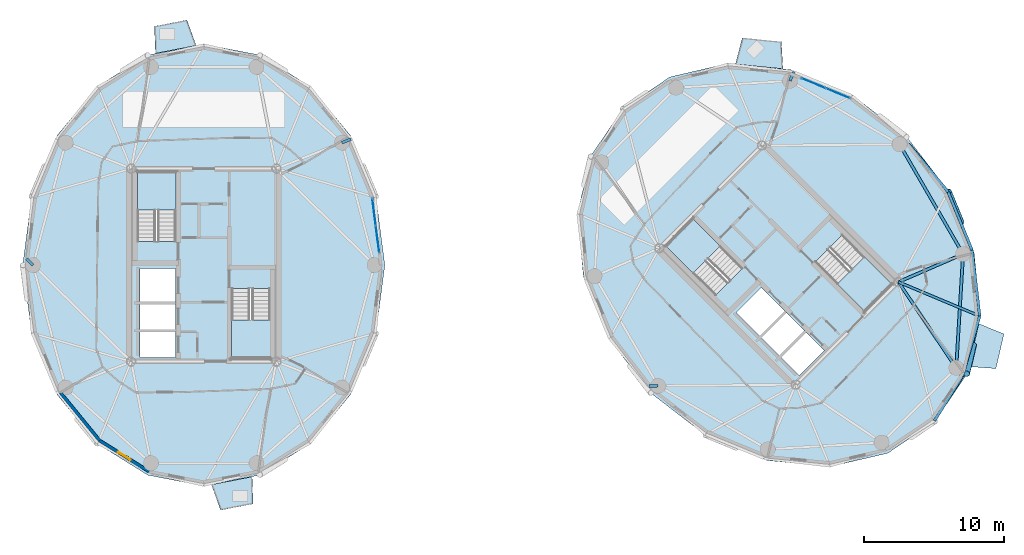
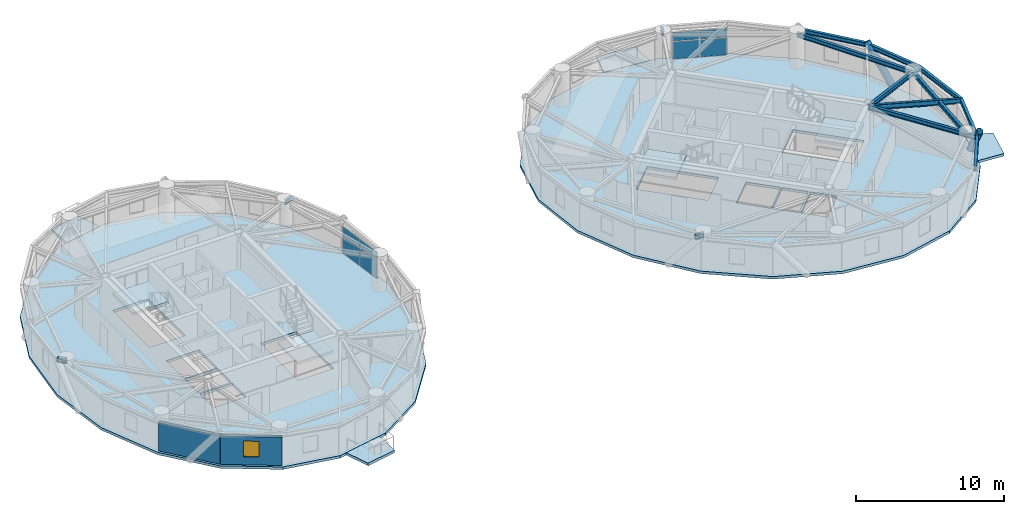
# One storey, part 6 of 15: 14 beams, 10 slabs, 8 plates, 2 members, 2 walls, 1 window, 1 opening, 6 elements without a shape of their own.
"""IFC4 building model written with IfcOpenShell, lengths in metres."""

from ifc_helpers import new_model, si_unit, direction, frame, frame_2d, origin, origin_2d, place, context, subcontext, project, spatial, polyline, rectangle, hollow_circle, i_section, outline, extrude, source, transform, mapped, material, layer, layer_set, material_profile, profile_set, type_object, element, fill, aggregate, save


model = new_model("IFC4")

# Units and contexts
model_context = context("Model", 3, precision=1e-05, world=origin(), true_north=direction((0.0, 1.0)))
body_context = subcontext(model_context, "Body", "Model", "MODEL_VIEW")
ifc_project = project(units=[si_unit("LENGTHUNIT", "METRE"), si_unit("AREAUNIT", "SQUARE_METRE"), si_unit("VOLUMEUNIT", "CUBIC_METRE"), si_unit("PLANEANGLEUNIT", "RADIAN"), si_unit("MASSUNIT", "GRAM", prefix="KILO")], contexts=[model_context])

# Site, building, storey
site_placement = place(None, origin())
site = spatial("IfcSite", under=ifc_project, at=site_placement, CompositionType="ELEMENT")
building_placement = place(site_placement, origin())
building = spatial("IfcBuilding", under=site, at=building_placement, Name="Cununo Teusaquillo Station Towers", CompositionType="ELEMENT")
storey_placement = place(building_placement, frame((0.0, 0.0, 199.570068359375)))
storey = spatial("IfcBuildingStorey", under=building, at=storey_placement, Name="L63", CompositionType="ELEMENT", Elevation=199.570068359375)

# Beams
ifc_material_1 = material(Name="Steel ASTM A572 Grade 50", Category="steel")
ifc_material_profile_1 = material_profile(ifc_material_1, i_section(OverallWidth=0.180908203125, OverallDepth=0.4169921875, WebThickness=0.010986328125, FlangeThickness=0.018310546875, FilletRadius=0.012939453125, at=origin_2d()), Name="W16X57")
ifc_profile_set_1 = profile_set([ifc_material_profile_1], Name="Steel ASTM A572 Grade 50")
beam_type_1 = type_object("IfcBeamType", Name="BM-JOIST-1", PredefinedType="JOIST", material=ifc_profile_set_1)
beam_1_placement = place(storey_placement, frame((66.024169921875, 23.29443359375, 2.491455078125), z_axis=(0.922169338565, -0.386786389381, 0.0), x_axis=(0.386786389381, 0.922169338565, 0.0)))
element("IfcBeam", 1, at=beam_1_placement, inside=storey, type_object=beam_type_1, Name="L63 Tower B Radial Spandrel Joist V17", PredefinedType="JOIST", context=body_context, shape_type="SweptSolid", body=[
    extrude(i_section(OverallWidth=0.180908203125, OverallDepth=0.4169921875, WebThickness=0.010986328125, FlangeThickness=0.018310546875, FilletRadius=0.012939453125, at=origin_2d()), origin(), (0.0, 0.0, 1.0), 6.281005859375),
])
ifc_material_2 = material(Name="Steel ASTM A572 Grade 50", Category="steel")
ifc_material_profile_2 = material_profile(ifc_material_2, i_section(OverallWidth=0.2041015625, OverallDepth=0.35009765625, WebThickness=0.008544921875, FlangeThickness=0.01513671875, FilletRadius=0.011962890625, at=origin_2d()), Name="W14X48")
ifc_profile_set_2 = profile_set([ifc_material_profile_2], Name="Steel ASTM A572 Grade 50")
beam_type_2 = type_object("IfcBeamType", Name="BM-RAD-G3", PredefinedType="BEAM", material=ifc_profile_set_2)
beam_2_placement = place(storey_placement, frame((26.347412109375, 33.228515625, 2.52490234375), z_axis=(0.929761307449, 0.368162886738, 0.0), x_axis=(-0.368162886738, 0.929761307449, 0.0)))
element("IfcBeam", 2, at=beam_2_placement, inside=storey, type_object=beam_type_2, Name="L63 Tower A Perimeter Overhang Girder 02B", PredefinedType="BEAM", context=body_context, shape_type="SweptSolid", body=[
    extrude(i_section(OverallWidth=0.2041015625, OverallDepth=0.35009765625, WebThickness=0.008544921875, FlangeThickness=0.01513671875, FilletRadius=0.011962890625, at=origin_2d()), origin(), (0.0, 0.0, 1.0), 0.691650390625),
])
beam_3_placement = place(storey_placement, frame((4.327880859375, 24.5, 2.52490234375), z_axis=(-0.712904743691, 0.701260883283, 0.0), x_axis=(-0.701260883283, -0.712904743691, 0.0)))
element("IfcBeam", 3, at=beam_3_placement, inside=storey, type_object=beam_type_2, Name="L63 Tower A Perimeter Overhang Girder 06B", PredefinedType="BEAM", context=body_context, shape_type="SweptSolid", body=[
    extrude(i_section(OverallWidth=0.2041015625, OverallDepth=0.35009765625, WebThickness=0.008544921875, FlangeThickness=0.01513671875, FilletRadius=0.011962890625, at=origin_2d()), origin(), (0.0, 0.0, 1.0), 0.64990234375),
])
beam_4_placement = place(storey_placement, frame((58.291015625, 37.63525390625, 2.52490234375), z_axis=(0.397409333503, 0.917641445034, 0.0), x_axis=(-0.917641445034, 0.397409333503, 0.0)))
element("IfcBeam", 4, at=beam_4_placement, inside=storey, type_object=beam_type_2, Name="L63 Tower B Perimeter Overhang Girder 02B", PredefinedType="BEAM", context=body_context, shape_type="SweptSolid", body=[
    extrude(i_section(OverallWidth=0.2041015625, OverallDepth=0.35009765625, WebThickness=0.008544921875, FlangeThickness=0.01513671875, FilletRadius=0.011962890625, at=origin_2d()), origin(), (0.0, 0.0, 1.0), 0.691650390625),
])
beam_5_placement = place(storey_placement, frame((48.89306640625, 15.89306640625, 2.52490234375), z_axis=(-0.999962704276, -0.008636553586, 0.0), x_axis=(0.008636553586, -0.999962704276, 0.0)))
element("IfcBeam", 5, at=beam_5_placement, inside=storey, type_object=beam_type_2, Name="L63 Tower B Perimeter Overhang Girder 06B", PredefinedType="BEAM", context=body_context, shape_type="SweptSolid", body=[
    extrude(i_section(OverallWidth=0.2041015625, OverallDepth=0.35009765625, WebThickness=0.008544921875, FlangeThickness=0.01513671875, FilletRadius=0.011962890625, at=origin_2d()), origin(), (0.0, 0.0, 1.0), 0.650146484375),
])
beam_6_placement = place(storey_placement, frame((66.024169921875, 23.29443359375, 2.52490234375), z_axis=(0.558570844079, -0.829456817529, 0.0), x_axis=(0.829456817529, 0.558570844079, 0.0)))
element("IfcBeam", 6, at=beam_6_placement, inside=storey, type_object=beam_type_2, Name="L63 Tower B Continuous Overhanging Radial Girder 09", PredefinedType="BEAM", context=body_context, shape_type="SweptSolid", body=[
    extrude(i_section(OverallWidth=0.2041015625, OverallDepth=0.35009765625, WebThickness=0.008544921875, FlangeThickness=0.01513671875, FilletRadius=0.011962890625, at=origin_2d()), origin(), (0.0, 0.0, 1.0), 8.1240234375),
])
beam_7_placement = place(storey_placement, frame((66.024169921875, 23.29443359375, 2.52490234375), z_axis=(0.917665176837, 0.397354530893, 0.0), x_axis=(-0.397354530893, 0.917665176837, 0.0)))
element("IfcBeam", 7, at=beam_7_placement, inside=storey, type_object=beam_type_2, Name="L63 Tower B Continuous Overhanging Radial Girder 10", PredefinedType="BEAM", context=body_context, shape_type="SweptSolid", body=[
    extrude(i_section(OverallWidth=0.2041015625, OverallDepth=0.35009765625, WebThickness=0.008544921875, FlangeThickness=0.01513671875, FilletRadius=0.011962890625, at=origin_2d()), origin(), (0.0, 0.0, 1.0), 5.716552734375),
])
ifc_material_3 = material(Name="Steel ASTM A572 Grade 50", Category="steel")
ifc_material_profile_3 = material_profile(ifc_material_3, i_section(OverallWidth=0.2041015625, OverallDepth=0.35009765625, WebThickness=0.008544921875, FlangeThickness=0.01513671875, FilletRadius=0.011962890625, at=origin_2d()), Name="W14X48")
ifc_profile_set_3 = profile_set([ifc_material_profile_3], Name="Steel ASTM A572 Grade 50")
beam_type_3 = type_object("IfcBeamType", Name="BM-RING-Z4", PredefinedType="SPANDREL", material=ifc_profile_set_3)
beam_8_placement = place(storey_placement, frame((70.146240234375, 17.173095703125, 2.52490234375), z_axis=(0.06012979176, 0.998190567048, 0.0), x_axis=(-0.998190567048, 0.06012979176, 0.0)))
element("IfcBeam", 8, at=beam_8_placement, inside=storey, type_object=beam_type_3, Name="L63 Tower B Structural Column Ring Girder 09", PredefinedType="SPANDREL", context=body_context, shape_type="SweptSolid", body=[
    extrude(i_section(OverallWidth=0.2041015625, OverallDepth=0.35009765625, WebThickness=0.008544921875, FlangeThickness=0.01513671875, FilletRadius=0.011962890625, at=origin_2d()), origin(), (0.0, 0.0, 1.0), 8.132568359375),
])
beam_9_placement = place(storey_placement, frame((70.63525390625, 25.291015625, 2.52490234375), z_axis=(-0.501311121078, 0.865267103202, 0.0), x_axis=(-0.865267103202, -0.501311121078, 0.0)))
element("IfcBeam", 9, at=beam_9_placement, inside=storey, type_object=beam_type_3, Name="L63 Tower B Structural Column Ring Girder 10", PredefinedType="SPANDREL", context=body_context, shape_type="SweptSolid", body=[
    extrude(i_section(OverallWidth=0.2041015625, OverallDepth=0.35009765625, WebThickness=0.008544921875, FlangeThickness=0.01513671875, FilletRadius=0.011962890625, at=origin_2d()), origin(), (0.0, 0.0, 1.0), 9.032958984375),
])
beam_10_placement = place(storey_placement, frame((68.594482421875, 13.405517578125, 2.52490234375), z_axis=(0.529715312739, 0.848175505099, 0.0), x_axis=(-0.848175505099, 0.529715312739, 0.0)))
element("IfcBeam", 10, at=beam_10_placement, inside=storey, type_object=beam_type_3, Name="L63 Tower B Spandrel Ring Beam 16", PredefinedType="SPANDREL", context=body_context, shape_type="SweptSolid", body=[
    extrude(i_section(OverallWidth=0.2041015625, OverallDepth=0.35009765625, WebThickness=0.008544921875, FlangeThickness=0.01513671875, FilletRadius=0.011962890625, at=origin_2d()), origin(), (0.0, 0.0, 1.0), 3.71435546875),
])
beam_11_placement = place(storey_placement, frame((70.56201171875, 16.555908203125, 2.52490234375), z_axis=(0.279502797802, 0.96014487762, 0.0), x_axis=(-0.96014487762, 0.279502797802, 0.0)))
element("IfcBeam", 11, at=beam_11_placement, inside=storey, type_object=beam_type_3, Name="L63 Tower B Spandrel Ring Beam 17", PredefinedType="SPANDREL", context=body_context, shape_type="SweptSolid", body=[
    extrude(i_section(OverallWidth=0.2041015625, OverallDepth=0.35009765625, WebThickness=0.008544921875, FlangeThickness=0.01513671875, FilletRadius=0.011962890625, at=origin_2d()), origin(), (0.0, 0.0, 1.0), 4.488037109375),
])
beam_12_placement = place(storey_placement, frame((71.81640625, 20.864990234375, 2.52490234375), z_axis=(-0.115452326356, 0.993313022334, 0.0), x_axis=(-0.993313022334, -0.115452326356, 0.0)))
element("IfcBeam", 12, at=beam_12_placement, inside=storey, type_object=beam_type_3, Name="L63 Tower B Spandrel Ring Beam 18", PredefinedType="SPANDREL", context=body_context, shape_type="SweptSolid", body=[
    extrude(i_section(OverallWidth=0.2041015625, OverallDepth=0.35009765625, WebThickness=0.008544921875, FlangeThickness=0.01513671875, FilletRadius=0.011962890625, at=origin_2d()), origin(), (0.0, 0.0, 1.0), 4.732666015625),
])
beam_13_placement = place(storey_placement, frame((71.27001953125, 25.56591796875, 2.52490234375), z_axis=(-0.379275405388, 0.925283830437, 0.0), x_axis=(-0.925283830437, -0.379275405388, 0.0)))
element("IfcBeam", 13, at=beam_13_placement, inside=storey, type_object=beam_type_3, Name="L63 Tower B Spandrel Ring Beam 19", PredefinedType="SPANDREL", context=body_context, shape_type="SweptSolid", body=[
    extrude(i_section(OverallWidth=0.2041015625, OverallDepth=0.35009765625, WebThickness=0.008544921875, FlangeThickness=0.01513671875, FilletRadius=0.011962890625, at=origin_2d()), origin(), (0.0, 0.0, 1.0), 4.482177734375),
])
beam_14_placement = place(storey_placement, frame((69.570068359375, 29.713134765625, 2.52490234375), z_axis=(-0.637524682095, 0.770429931739, 0.0), x_axis=(-0.770429931739, -0.637524682095, 0.0)))
element("IfcBeam", 14, at=beam_14_placement, inside=storey, type_object=beam_type_3, Name="L63 Tower B Spandrel Ring Beam 20", PredefinedType="SPANDREL", context=body_context, shape_type="SweptSolid", body=[
    extrude(i_section(OverallWidth=0.2041015625, OverallDepth=0.35009765625, WebThickness=0.008544921875, FlangeThickness=0.01513671875, FilletRadius=0.011962890625, at=origin_2d()), origin(), (0.0, 0.0, 1.0), 4.412353515625),
])

# Members
ifc_material_4 = material(Name="Steel EN 10025-2 S355J2", Category="steel")
ifc_material_profile_4 = material_profile(ifc_material_4, hollow_circle(Radius=0.25390625, WallThickness=0.01806640625, at=origin_2d()), Name="CHS 508x18")
ifc_profile_set_4 = profile_set([ifc_material_profile_4], Name="Steel EN 10025-2 S355J2")
member_type = type_object("IfcMemberType", Name="MBR-DIAG-Z4", PredefinedType="BRACE", material=ifc_profile_set_4)
member_1_placement = place(storey_placement, frame((71.337890625, 18.810791015625, -0.14013671875), z_axis=(-0.133133181776, -0.571589655429, 0.809667105492), x_axis=(0.973930772574, -0.226845432471, 0.0)))
element("IfcMember", 15, at=member_1_placement, inside=storey, type_object=member_type, Name="L63 Tower B Folded-Zigzag Diagrid Tube C16", PredefinedType="BRACE", context=body_context, shape_type="SweptSolid", body=[
    extrude(hollow_circle(Radius=0.25390625, WallThickness=0.01806640625, at=origin_2d()), origin(), (0.0, 0.0, 1.0), 3.59423828125),
])
member_2_placement = place(storey_placement, frame((70.47119140625, 27.521484375, -0.14013671875), z_axis=(-0.240112894686, 0.583986306041, 0.775439096359), x_axis=(-0.924874275738, -0.380273025704, 0.0)))
element("IfcMember", 16, at=member_2_placement, inside=storey, type_object=member_type, Name="L63 Tower B Folded-Zigzag Diagrid Tube C18", PredefinedType="BRACE", context=body_context, shape_type="SweptSolid", body=[
    extrude(hollow_circle(Radius=0.25390625, WallThickness=0.01806640625, at=origin_2d()), origin(), (0.0, 0.0, 1.0), 3.7529296875),
])

# Slabs
ifc_material_5 = material(Name="Concrete C50/60", Category="concrete")
ifc_layer_1 = layer(ifc_material_5, 0.2099609375)
ifc_layer_set_1 = layer_set([ifc_layer_1], Name="Concrete C50/60")
slab_type_1 = type_object("IfcSlabType", Name="SLB-BAL-210", PredefinedType="FLOOR", material=ifc_layer_set_1)
slab_1_placement = place(storey_placement, frame((0.0, 0.0, -0.2099609375)))
element("IfcSlab", 17, at=slab_1_placement, inside=storey, type_object=slab_type_1, Name="L63 Tower A Tree Balcony Slab 1", PredefinedType="FLOOR", context=body_context, shape_type="SweptSolid", body=[
    extrude(outline(polyline([(15.958984375, 40.150634765625), (13.0498046875, 39.58837890625), (12.98095703125, 41.525390625), (15.30126953125, 41.973876953125), (15.958984375, 40.150634765625)])), origin(), (0.0, 0.0, 1.0), 0.2099609375),
])
slab_2_placement = place(storey_placement, frame((0.0, 0.0, -0.2099609375)))
element("IfcSlab", 18, at=slab_2_placement, inside=storey, type_object=slab_type_1, Name="L63 Tower A Tree Balcony Slab 2", PredefinedType="FLOOR", context=body_context, shape_type="SweptSolid", body=[
    extrude(outline(polyline([(17.041015625, 8.849365234375), (19.9501953125, 9.41162109375), (20.01904296875, 7.474609375), (17.69873046875, 7.026123046875), (17.041015625, 8.849365234375)])), origin(), (0.0, 0.0, 1.0), 0.2099609375),
])
slab_3_placement = place(storey_placement, frame((0.0, 0.0, -0.2099609375)))
element("IfcSlab", 19, at=slab_3_placement, inside=storey, type_object=slab_type_1, Name="L63 Tower B Tree Balcony Slab 1", PredefinedType="FLOOR", context=body_context, shape_type="SweptSolid", body=[
    extrude(outline(polyline([(57.79248046875, 38.490478515625), (54.403564453125, 38.826416015625), (54.89111328125, 40.702392578125), (57.6826171875, 40.42578125), (57.79248046875, 38.490478515625)])), origin(), (0.0, 0.0, 1.0), 0.2099609375),
])
slab_4_placement = place(storey_placement, frame((0.0, 0.0, -0.2099609375)))
element("IfcSlab", 20, at=slab_4_placement, inside=storey, type_object=slab_type_1, Name="L63 Tower B Tree Balcony Slab 2", PredefinedType="FLOOR", context=body_context, shape_type="SweptSolid", body=[
    extrude(outline(polyline([(71.04248046875, 17.263671875), (71.755615234375, 20.319091796875), (73.55224609375, 19.591796875), (72.9755859375, 17.12060546875), (71.04248046875, 17.263671875)])), origin(), (0.0, 0.0, 1.0), 0.2099609375),
])

# Stair, slab
ifc_material_6 = material(Name="Concrete C50/60", Category="concrete")
stair_type = type_object("IfcStairType", Name="ST-TWR-1300", PredefinedType="HALF_TURN_STAIR", material=ifc_material_6)
stair_1_placement = place(storey_placement, origin())
stair_1 = element("IfcStair", 21, at=stair_1_placement, inside=storey, type_object=stair_type, Name="L63 Tower A Protected Core Exit Stair 1", PredefinedType="HALF_TURN_STAIR")
ifc_material_7 = material(Name="Concrete C50/60", Category="concrete")
ifc_layer_2 = layer(ifc_material_7, 0.199951171875)
ifc_layer_set_2 = layer_set([ifc_layer_2], Name="Concrete C50/60")
slab_type_2 = type_object("IfcSlabType", Name="SLB-STAIR-LND", PredefinedType="LANDING", material=ifc_layer_set_2)
slab_5_placement = place(storey_placement, frame((0.0, 0.0, 1.2548828125)))
slab_5 = element("IfcSlab", 22, at=slab_5_placement, type_object=slab_type_2, Name="ST-T1-1 landing 1", PredefinedType="LANDING", context=body_context, shape_type="SweptSolid", body=[
    extrude(outline(polyline([(14.52001953125, 28.409912109375), (14.52001953125, 31.159912109375), (11.760009765625, 31.159912109375), (11.760009765625, 28.409912109375), (14.52001953125, 28.409912109375)])), origin(), (0.0, 0.0, 1.0), 0.199951171875),
])
aggregate(stair_1, [slab_5])

stair_2_placement = place(storey_placement, origin())
stair_2 = element("IfcStair", 23, at=stair_2_placement, inside=storey, type_object=stair_type, Name="L63 Tower A Protected Core Exit Stair 2", PredefinedType="HALF_TURN_STAIR")
slab_6_placement = place(storey_placement, frame((0.0, 0.0, 1.2548828125)))
slab_6 = element("IfcSlab", 24, at=slab_6_placement, type_object=slab_type_2, Name="ST-T1-2 landing 1", PredefinedType="LANDING", context=body_context, shape_type="SweptSolid", body=[
    extrude(outline(polyline([(18.47998046875, 20.590087890625), (18.47998046875, 17.840087890625), (21.239990234375, 17.840087890625), (21.239990234375, 20.590087890625), (18.47998046875, 20.590087890625)])), origin(), (0.0, 0.0, 1.0), 0.199951171875),
])
aggregate(stair_2, [slab_6])

stair_3_placement = place(storey_placement, origin())
stair_3 = element("IfcStair", 25, at=stair_3_placement, inside=storey, type_object=stair_type, Name="L63 Tower B Protected Core Exit Stair 1", PredefinedType="HALF_TURN_STAIR")
slab_7_placement = place(storey_placement, frame((0.0, 0.0, 1.2548828125)))
slab_7 = element("IfcSlab", 26, at=slab_7_placement, type_object=slab_type_2, Name="ST-T2-1 landing 1", PredefinedType="LANDING", context=body_context, shape_type="SweptSolid", body=[
    extrude(outline(polyline([(53.335205078125, 25.86474609375), (51.390625, 27.809326171875), (49.43896484375, 25.857666015625), (51.383544921875, 23.9130859375), (53.335205078125, 25.86474609375)])), origin(), (0.0, 0.0, 1.0), 0.199951171875),
])
aggregate(stair_3, [slab_7])

stair_4_placement = place(storey_placement, origin())
stair_4 = element("IfcStair", 27, at=stair_4_placement, inside=storey, type_object=stair_type, Name="L63 Tower B Protected Core Exit Stair 2", PredefinedType="HALF_TURN_STAIR")
slab_8_placement = place(storey_placement, frame((0.0, 0.0, 1.2548828125)))
slab_8 = element("IfcSlab", 28, at=slab_8_placement, type_object=slab_type_2, Name="ST-T2-2 landing 1", PredefinedType="LANDING", context=body_context, shape_type="SweptSolid", body=[
    extrude(outline(polyline([(61.664794921875, 23.13525390625), (63.609375, 21.190673828125), (65.56103515625, 23.142333984375), (63.616455078125, 25.0869140625), (61.664794921875, 23.13525390625)])), origin(), (0.0, 0.0, 1.0), 0.199951171875),
])
aggregate(stair_4, [slab_8])

# Slabs
ifc_material_8 = material(Name="Concrete C40/50", Category="concrete")
ifc_layer_3 = layer(ifc_material_8, 0.2099609375)
ifc_layer_set_3 = layer_set([ifc_layer_3], Name="Concrete C40/50")
slab_type_3 = type_object("IfcSlabType", Name="SLB-Z4-200", PredefinedType="FLOOR", material=ifc_layer_set_3)
slab_9_placement = place(storey_placement, frame((0.0, 0.0, -0.2099609375)))
element("IfcSlab", 29, at=slab_9_placement, inside=storey, type_object=slab_type_3, Name="L63 Tower A Floor Slab", PredefinedType="FLOOR", context=body_context, shape_type="SweptSolid", body=[
    extrude(outline(polyline([(29.409912109375, 24.5), (28.778076171875, 29.366943359375), (26.9443359375, 33.757568359375), (24.08837890625, 37.241943359375), (20.489501953125, 39.47900390625), (16.5, 40.25), (12.510498046875, 39.47900390625), (8.91162109375, 37.241943359375), (6.0556640625, 33.757568359375), (4.221923828125, 29.366943359375), (3.590087890625, 24.5), (4.221923828125, 19.633056640625), (6.0556640625, 15.242431640625), (8.91162109375, 11.758056640625), (12.510498046875, 9.52099609375), (16.5, 8.75), (20.489501953125, 9.52099609375), (24.08837890625, 11.758056640625), (26.9443359375, 15.242431640625), (28.778076171875, 19.633056640625), (29.409912109375, 24.5)]), holes=[polyline([(14.52001953125, 26.176025390625), (14.52001953125, 31.159912109375), (11.760009765625, 31.159912109375), (11.760009765625, 26.176025390625), (14.52001953125, 26.176025390625)]), polyline([(18.47998046875, 22.823974609375), (18.47998046875, 17.840087890625), (21.239990234375, 17.840087890625), (21.239990234375, 22.823974609375), (18.47998046875, 22.823974609375)]), polyline([(11.949951171875, 21.85009765625), (14.47998046875, 21.85009765625), (14.47998046875, 24.25), (11.949951171875, 24.25), (11.949951171875, 21.85009765625)]), polyline([(11.949951171875, 17.89990234375), (14.47998046875, 17.89990234375), (14.47998046875, 19.75), (11.949951171875, 19.75), (11.949951171875, 17.89990234375)]), polyline([(11.949951171875, 19.89990234375), (14.47998046875, 19.89990234375), (14.47998046875, 21.75), (11.949951171875, 21.75), (11.949951171875, 19.89990234375)])]), origin(), (0.0, 0.0, 1.0), 0.2099609375),
])
slab_10_placement = place(storey_placement, frame((0.0, 0.0, -0.2099609375)))
element("IfcSlab", 30, at=slab_10_placement, inside=storey, type_object=slab_type_3, Name="L63 Tower B Floor Slab", PredefinedType="FLOOR", context=body_context, shape_type="SweptSolid", body=[
    extrude(outline(polyline([(66.628662109375, 33.628662109375), (62.740478515625, 36.623291015625), (58.339111328125, 38.431396484375), (53.855712890625, 38.875732421875), (49.72900390625, 37.912841796875), (46.363037109375, 35.636962890625), (44.087158203125, 32.27099609375), (43.124267578125, 28.144287109375), (43.568603515625, 23.660888671875), (45.376708984375, 19.259521484375), (48.371337890625, 15.371337890625), (52.259521484375, 12.376708984375), (56.660888671875, 10.568603515625), (61.144287109375, 10.124267578125), (65.27099609375, 11.087158203125), (68.636962890625, 13.363037109375), (70.912841796875, 16.72900390625), (71.875732421875, 20.855712890625), (71.431396484375, 25.339111328125), (69.623291015625, 29.740478515625), (66.628662109375, 33.628662109375)]), holes=[polyline([(54.914794921875, 24.28515625), (51.390625, 27.809326171875), (49.43896484375, 25.857666015625), (52.963134765625, 22.33349609375), (54.914794921875, 24.28515625)]), polyline([(60.085205078125, 24.71484375), (63.609375, 21.190673828125), (65.56103515625, 23.142333984375), (62.036865234375, 26.66650390625), (60.085205078125, 24.71484375)]), polyline([(56.156494140625, 19.40869140625), (57.945556640625, 21.19775390625), (56.248291015625, 22.89501953125), (54.45947265625, 21.10595703125), (56.156494140625, 19.40869140625)]), polyline([(58.94970703125, 16.61572265625), (60.738525390625, 18.40478515625), (59.430419921875, 19.712890625), (57.641357421875, 17.923828125), (58.94970703125, 16.61572265625)]), polyline([(57.535400390625, 18.030029296875), (59.32421875, 19.819091796875), (58.01611328125, 21.127197265625), (56.227294921875, 19.338134765625), (57.535400390625, 18.030029296875)])]), origin(), (0.0, 0.0, 1.0), 0.2099609375),
])

# Curtain wall, plates
ifc_material_9 = material(Name="Ceramic-fritted dark low-E double glazing", Category="glass")
ifc_layer_4 = layer(ifc_material_9, 0.179931640625)
ifc_layer_set_4 = layer_set([ifc_layer_4], Name="Ceramic-fritted dark low-E double glazing")
curtain_wall_type = type_object("IfcCurtainWallType", Name="CW-SYS-07", PredefinedType="USERDEFINED", material=ifc_layer_set_4)
curtain_wall_1_placement = place(storey_placement, origin())
curtain_wall_1 = element("IfcCurtainWall", 31, at=curtain_wall_1_placement, inside=storey, type_object=curtain_wall_type, Name="L63 Tower A Facade Curtain Wall C00", ObjectType="FRITTED GLAZING", PredefinedType="USERDEFINED")
ifc_material_10 = material(Name="Ceramic-fritted dark low-E double glazing", Category="glass")
ifc_layer_5 = layer(ifc_material_10, 0.028076171875)
ifc_layer_set_5 = layer_set([ifc_layer_5], Name="Ceramic-fritted dark low-E double glazing")
plate_type = type_object("IfcPlateType", Name="CWP-FRIT-28", PredefinedType="CURTAIN_PANEL", material=ifc_layer_set_5)
shared_shape_1 = source(origin(), body_context, "Body", "SweptSolid", [
    extrude(rectangle(XDim=1.8876953125, YDim=0.028076171875, at=origin_2d()), origin(), (0.0, 0.0, 1.0), 1.41162109375),
])
plate_1_placement = place(storey_placement, frame((28.64111328125, 28.280029296875, 0.06494140625), z_axis=(0.0, 0.0, 1.0), x_axis=(0.12825264413, -0.991741528461, 0.0)))
plate_1 = element("IfcPlate", 32, at=plate_1_placement, type_object=plate_type, Name="CW-07 panel 1.1", PredefinedType="CURTAIN_PANEL", context=body_context, shape_type="MappedRepresentation", body=[
    mapped(shared_shape_1, transform((0.0, 0.0, 0.0), x_axis=(1.0, 0.0, 0.0), y_axis=(0.0, 1.0, 0.0), z_axis=(0.0, 0.0, 1.0), scale=1.0)),
])
plate_2_placement = place(storey_placement, frame((28.8916015625, 26.343505859375, 0.06494140625), z_axis=(0.0, 0.0, 1.0), x_axis=(0.12825264413, -0.991741528461, 0.0)))
plate_2 = element("IfcPlate", 33, at=plate_2_placement, type_object=plate_type, Name="CW-07 panel 2.1", PredefinedType="CURTAIN_PANEL", context=body_context, shape_type="MappedRepresentation", body=[
    mapped(shared_shape_1, transform((0.0, 0.0, 0.0), x_axis=(1.0, 0.0, 0.0), y_axis=(0.0, 1.0, 0.0), z_axis=(0.0, 0.0, 1.0), scale=1.0)),
])
shared_shape_2 = source(origin(), body_context, "Body", "SweptSolid", [
    extrude(rectangle(XDim=1.8876953125, YDim=0.028076171875, at=origin_2d()), origin(), (0.0, 0.0, 1.0), 0.715576171875),
])
plate_3_placement = place(storey_placement, frame((28.64111328125, 28.280029296875, 1.54150390625), z_axis=(0.0, 0.0, 1.0), x_axis=(0.12825264413, -0.991741528461, 0.0)))
plate_3 = element("IfcPlate", 34, at=plate_3_placement, type_object=plate_type, Name="CW-07 panel 1.2", PredefinedType="CURTAIN_PANEL", context=body_context, shape_type="MappedRepresentation", body=[
    mapped(shared_shape_2, transform((0.0, 0.0, 0.0), x_axis=(1.0, 0.0, 0.0), y_axis=(0.0, 1.0, 0.0), z_axis=(0.0, 0.0, 1.0), scale=1.0)),
])
plate_4_placement = place(storey_placement, frame((28.8916015625, 26.343505859375, 1.54150390625), z_axis=(0.0, 0.0, 1.0), x_axis=(0.12825264413, -0.991741528461, 0.0)))
plate_4 = element("IfcPlate", 35, at=plate_4_placement, type_object=plate_type, Name="CW-07 panel 2.2", PredefinedType="CURTAIN_PANEL", context=body_context, shape_type="MappedRepresentation", body=[
    mapped(shared_shape_2, transform((0.0, 0.0, 0.0), x_axis=(1.0, 0.0, 0.0), y_axis=(0.0, 1.0, 0.0), z_axis=(0.0, 0.0, 1.0), scale=1.0)),
])
aggregate(curtain_wall_1, [plate_1, plate_3, plate_2, plate_4])

curtain_wall_2_placement = place(storey_placement, origin())
curtain_wall_2 = element("IfcCurtainWall", 36, at=curtain_wall_2_placement, inside=storey, type_object=curtain_wall_type, Name="L63 Tower B Facade Curtain Wall C01", ObjectType="FRITTED GLAZING", PredefinedType="USERDEFINED")
shared_shape_3 = source(origin(), body_context, "Body", "SweptSolid", [
    extrude(rectangle(XDim=1.81298828125, YDim=0.028076171875, at=origin_2d()), origin(), (0.0, 0.0, 1.0), 1.41162109375),
])
plate_5_placement = place(storey_placement, frame((59.979248046875, 37.46044921875, 0.06494140625), z_axis=(0.0, 0.0, 1.0), x_axis=(0.924447019904, -0.381310513086, 0.0)))
plate_5 = element("IfcPlate", 37, at=plate_5_placement, type_object=plate_type, Name="CW-07 panel 1.1", PredefinedType="CURTAIN_PANEL", context=body_context, shape_type="MappedRepresentation", body=[
    mapped(shared_shape_3, transform((0.0, 0.0, 0.0), x_axis=(1.0, 0.0, 0.0), y_axis=(0.0, 1.0, 0.0), z_axis=(0.0, 0.0, 1.0), scale=1.0)),
])
plate_6_placement = place(storey_placement, frame((61.71533203125, 36.744384765625, 0.06494140625), z_axis=(0.0, 0.0, 1.0), x_axis=(0.924447019904, -0.381310513086, 0.0)))
plate_6 = element("IfcPlate", 38, at=plate_6_placement, type_object=plate_type, Name="CW-07 panel 2.1", PredefinedType="CURTAIN_PANEL", context=body_context, shape_type="MappedRepresentation", body=[
    mapped(shared_shape_3, transform((0.0, 0.0, 0.0), x_axis=(1.0, 0.0, 0.0), y_axis=(0.0, 1.0, 0.0), z_axis=(0.0, 0.0, 1.0), scale=1.0)),
])
shared_shape_4 = source(origin(), body_context, "Body", "SweptSolid", [
    extrude(rectangle(XDim=1.81298828125, YDim=0.028076171875, at=origin_2d()), origin(), (0.0, 0.0, 1.0), 0.715576171875),
])
plate_7_placement = place(storey_placement, frame((59.979248046875, 37.46044921875, 1.54150390625), z_axis=(0.0, 0.0, 1.0), x_axis=(0.924447019904, -0.381310513086, 0.0)))
plate_7 = element("IfcPlate", 39, at=plate_7_placement, type_object=plate_type, Name="CW-07 panel 1.2", PredefinedType="CURTAIN_PANEL", context=body_context, shape_type="MappedRepresentation", body=[
    mapped(shared_shape_4, transform((0.0, 0.0, 0.0), x_axis=(1.0, 0.0, 0.0), y_axis=(0.0, 1.0, 0.0), z_axis=(0.0, 0.0, 1.0), scale=1.0)),
])
plate_8_placement = place(storey_placement, frame((61.71533203125, 36.744384765625, 1.54150390625), z_axis=(0.0, 0.0, 1.0), x_axis=(0.924447019904, -0.381310513086, 0.0)))
plate_8 = element("IfcPlate", 40, at=plate_8_placement, type_object=plate_type, Name="CW-07 panel 2.2", PredefinedType="CURTAIN_PANEL", context=body_context, shape_type="MappedRepresentation", body=[
    mapped(shared_shape_4, transform((0.0, 0.0, 0.0), x_axis=(1.0, 0.0, 0.0), y_axis=(0.0, 1.0, 0.0), z_axis=(0.0, 0.0, 1.0), scale=1.0)),
])
aggregate(curtain_wall_2, [plate_5, plate_7, plate_6, plate_8])

# Wall
ifc_material_11 = material(Name="Precast concrete C40/50", Category="concrete")
ifc_layer_6 = layer(ifc_material_11, 0.219970703125)
ifc_layer_set_6 = layer_set([ifc_layer_6], Name="Precast concrete C40/50")
wall_type = type_object("IfcWallType", Name="WL-EXT-220", PredefinedType="SOLIDWALL", material=ifc_layer_set_6)
wall_1_placement = place(storey_placement, frame((9.076416015625, 11.984619140625, 0.0), z_axis=(0.0, 0.0, 1.0), x_axis=(-0.632467166636, 0.774587169483, 0.0)))
element("IfcWall", 41, at=wall_1_placement, inside=storey, type_object=wall_type, Name="L63 Tower A Exterior Facade Wall C12", PredefinedType="SOLIDWALL", context=body_context, shape_type="SweptSolid", body=[
    extrude(rectangle(XDim=4.418212890625, YDim=0.219970703125, at=frame_2d((2.208984375, 0.0))), origin(), (0.0, 0.0, 1.0), 2.322021484375),
])

# Wall, opening, window
wall_2_placement = place(storey_placement, frame((12.59716796875, 9.787109375, 0.0), z_axis=(0.0, 0.0, 1.0), x_axis=(-0.848318713376, 0.529485939886, 0.0)))
wall_2 = element("IfcWall", 42, at=wall_2_placement, inside=storey, type_object=wall_type, Name="L63 Tower A Exterior Facade Wall C13", PredefinedType="SOLIDWALL", context=body_context, shape_type="SweptSolid", body=[
    extrude(rectangle(XDim=4.150390625, YDim=0.219970703125, at=frame_2d((2.0751953125, 0.0))), origin(), (0.0, 0.0, 1.0), 2.322021484375),
])
shared_shape_5 = source(origin(), body_context, "Body", "SweptSolid", [
    extrude(rectangle(XDim=1.050048828125, YDim=1.300048828125, at=frame_2d((0.52490234375, 0.64990234375))), frame((0.0, 0.119873046875, 0.0), z_axis=(0.0, -1.0, 0.0), x_axis=(1.0, 0.0, 0.0)), (0.0, 0.0, 1.0), 0.239990234375),
])
opening_placement = place(wall_2_placement, frame((1.550048828125, 0.0, 0.64990234375)))
opening = element("IfcOpeningElement", 43, at=opening_placement, cuts=wall_2, Name="Opening WN-04", PredefinedType="OPENING", context=body_context, shape_type="MappedRepresentation", body=[
    mapped(shared_shape_5, transform((0.0, 0.0, 0.0), x_axis=(1.0, 0.0, 0.0), y_axis=(0.0, 1.0, 0.0), z_axis=(0.0, 0.0, 1.0), scale=1.0)),
])
ifc_material_12 = material(Name="Operable acoustic tinted low-E double glazing", Category="glass")
window_type = type_object("IfcWindowType", Name="WIN-BAL-1050", PartitioningType="SINGLE_PANEL", PredefinedType="WINDOW", material=ifc_material_12)
shared_shape_6 = source(origin(), body_context, "Body", "SweptSolid", [
    extrude(rectangle(XDim=1.050048828125, YDim=1.300048828125, at=frame_2d((0.52490234375, 0.64990234375))), frame((0.0, 0.030029296875, 0.0), z_axis=(0.0, -1.0, 0.0), x_axis=(1.0, 0.0, 0.0)), (0.0, 0.0, 1.0), 0.06005859375),
])
window_placement = place(opening_placement, origin())
window = element("IfcWindow", 44, at=window_placement, inside=storey, type_object=window_type, Name="L63 Tower A Facade Window C13", OverallHeight=1.300048828125, OverallWidth=1.050048828125, PartitioningType="SINGLE_PANEL", PredefinedType="WINDOW", context=body_context, shape_type="MappedRepresentation", body=[
    mapped(shared_shape_6, transform((0.0, 0.0, 0.0), x_axis=(1.0, 0.0, 0.0), y_axis=(0.0, 1.0, 0.0), z_axis=(0.0, 0.0, 1.0), scale=1.0)),
])
fill(opening, window)

save(model, "model.ifc")
